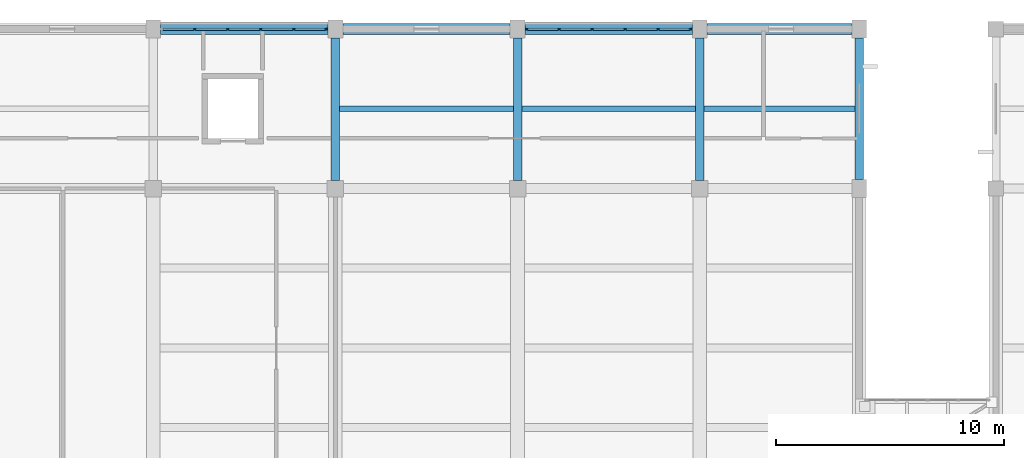
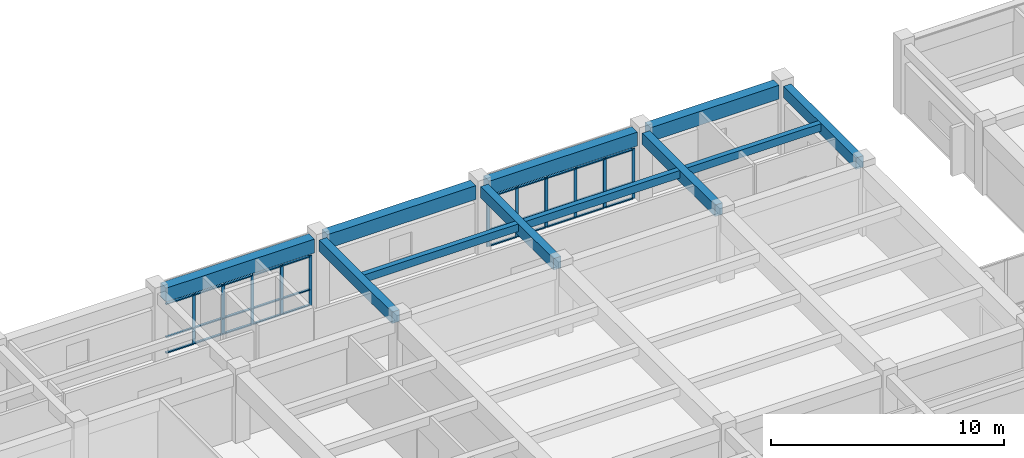
# One storey, part 31 of 66: 41 members, 11 beams, 2 elements without a shape of their own.
"""IFC4 building model written with IfcOpenShell, lengths in metres."""

from ifc_helpers import new_model, si_unit, direction, frame, origin, origin_2d, place, context, subcontext, project, spatial, rectangle, extrude, material, layer, layer_set, material_profile, profile_set, type_object, element, aggregate, save


model = new_model("IFC4")

# Units and contexts
model_context = context("Model", 3, precision=1e-05, world=origin(), true_north=direction((0.0, 1.0)))
body_context = subcontext(model_context, "Body", "Model", "MODEL_VIEW")
ifc_project = project(units=[si_unit("LENGTHUNIT", "METRE"), si_unit("AREAUNIT", "SQUARE_METRE"), si_unit("VOLUMEUNIT", "CUBIC_METRE"), si_unit("PLANEANGLEUNIT", "RADIAN"), si_unit("MASSUNIT", "GRAM", prefix="KILO")], contexts=[model_context])

# Site, building, storey
site_placement = place(None, origin())
site = spatial("IfcSite", under=ifc_project, at=site_placement, CompositionType="ELEMENT")
building_placement = place(site_placement, origin())
building = spatial("IfcBuilding", under=site, at=building_placement, Name="Naurynzar Civic Courthouse", CompositionType="ELEMENT")
storey_placement = place(building_placement, frame((0.0, 0.0, 14.39990234375)))
storey = spatial("IfcBuildingStorey", under=building, at=storey_placement, Name="L04", CompositionType="ELEMENT", Elevation=14.39990234375)

# Beams
ifc_material_1 = material(Name="Concrete C40/50", Category="concrete")
ifc_material_profile_1 = material_profile(ifc_material_1, rectangle(XDim=0.25, YDim=0.39990234375, at=origin_2d()), Name="RCB 250x400")
ifc_profile_set_1 = profile_set([ifc_material_profile_1], Name="Concrete C40/50")
beam_type_1 = type_object("IfcBeamType", Name="BM-JST-250x400", PredefinedType="JOIST", material=ifc_profile_set_1)
for number, where, z_axis, x_axis, name in (
    (1, (101.1875, 68.5, 3.380126953125), (1.0, 0.0, 0.0), (0.0, 1.0, 0.0), "V2 secondary rib 739 L04"),
    (2, (109.1875, 68.5, 3.380126953125), (1.0, 0.0, 0.0), (0.0, 1.0, 0.0), "V2 secondary rib 740 L04"),
):
    element("IfcBeam", number, at=place(storey_placement, frame(where, z_axis=z_axis, x_axis=x_axis)), inside=storey, type_object=beam_type_1, Name=name, PredefinedType="JOIST", context=body_context, shape_type="SweptSolid", body=[
        extrude(rectangle(XDim=0.25, YDim=0.39990234375, at=origin_2d()), origin(), (0.0, 0.0, 1.0), 7.625),
    ])
beam_1_placement = place(storey_placement, frame((117.1875, 68.5, 3.380126953125), z_axis=(1.0, 0.0, 0.0), x_axis=(0.0, 1.0, 0.0)))
element("IfcBeam", 3, at=beam_1_placement, inside=storey, type_object=beam_type_1, Name="V2 secondary rib 741 L04", PredefinedType="JOIST", context=body_context, shape_type="SweptSolid", body=[
    extrude(rectangle(XDim=0.25, YDim=0.39990234375, at=origin_2d()), origin(), (0.0, 0.0, 1.0), 6.625),
])
ifc_material_2 = material(Name="Concrete C40/50", Category="concrete")
ifc_material_profile_2 = material_profile(ifc_material_2, rectangle(XDim=0.375, YDim=0.60009765625, at=origin_2d()), Name="RCB 375x600")
ifc_profile_set_2 = profile_set([ifc_material_profile_2], Name="Concrete C40/50")
beam_type_2 = type_object("IfcBeamType", Name="BM-RC-375x600", PredefinedType="BEAM", material=ifc_profile_set_2)
for number, where, z_axis, x_axis, name in (
    (4, (101.0, 65.362548828125, 3.280029296875), (0.0, 1.0, 0.0), (-1.0, 0.0, 0.0), "V2 girder Y-703 L04"),
    (5, (109.0, 65.362548828125, 3.280029296875), (0.0, 1.0, 0.0), (-1.0, 0.0, 0.0), "V2 girder Y-706 L04"),
    (6, (117.0, 65.362548828125, 3.280029296875), (0.0, 1.0, 0.0), (-1.0, 0.0, 0.0), "V2 girder Y-709 L04"),
):
    element("IfcBeam", number, at=place(storey_placement, frame(where, z_axis=z_axis, x_axis=x_axis)), inside=storey, type_object=beam_type_2, Name=name, PredefinedType="BEAM", context=body_context, shape_type="SweptSolid", body=[
        extrude(rectangle(XDim=0.375, YDim=0.60009765625, at=origin_2d()), origin(), (0.0, 0.0, 1.0), 6.237548828125),
    ])
beam_2_placement = place(storey_placement, frame((124.0, 65.39990234375, 3.280029296875), z_axis=(0.0, 1.0, 0.0), x_axis=(-1.0, 0.0, 0.0)))
element("IfcBeam", 7, at=beam_2_placement, inside=storey, type_object=beam_type_2, Name="V2 girder Y-712 L04", PredefinedType="BEAM", context=body_context, shape_type="SweptSolid", body=[
    extrude(rectangle(XDim=0.375, YDim=0.60009765625, at=origin_2d()), origin(), (0.0, 0.0, 1.0), 6.2001953125),
])
ifc_material_3 = material(Name="Concrete C40/50", Category="concrete")
ifc_material_profile_3 = material_profile(ifc_material_3, rectangle(XDim=0.47509765625, YDim=0.72509765625, at=origin_2d()), Name="RCB 475x725")
ifc_profile_set_3 = profile_set([ifc_material_profile_3], Name="Concrete C40/50")
beam_type_3 = type_object("IfcBeamType", Name="BM-RC-475x725", PredefinedType="SPANDREL", material=ifc_profile_set_3)
for number, where, z_axis, x_axis, name in (
    (8, (93.324951171875, 72.0, 3.217529296875), (1.0, 0.0, 0.0), (0.0, 1.0, 0.0), "V2 beam X-683 L04"),
    (9, (101.324951171875, 72.0, 3.217529296875), (1.0, 0.0, 0.0), (0.0, 1.0, 0.0), "V2 beam X-684 L04"),
    (10, (109.324951171875, 72.0, 3.217529296875), (1.0, 0.0, 0.0), (0.0, 1.0, 0.0), "V2 beam X-685 L04"),
):
    element("IfcBeam", number, at=place(storey_placement, frame(where, z_axis=z_axis, x_axis=x_axis)), inside=storey, type_object=beam_type_3, Name=name, PredefinedType="SPANDREL", context=body_context, shape_type="SweptSolid", body=[
        extrude(rectangle(XDim=0.47509765625, YDim=0.72509765625, at=origin_2d()), origin(), (0.0, 0.0, 1.0), 7.35009765625),
    ])
beam_3_placement = place(storey_placement, frame((117.324951171875, 72.0, 3.217529296875), z_axis=(1.0, 0.0, 0.0), x_axis=(0.0, 1.0, 0.0)))
element("IfcBeam", 11, at=beam_3_placement, inside=storey, type_object=beam_type_3, Name="V2 beam X-686 L04", PredefinedType="SPANDREL", context=body_context, shape_type="SweptSolid", body=[
    extrude(rectangle(XDim=0.47509765625, YDim=0.72509765625, at=origin_2d()), origin(), (0.0, 0.0, 1.0), 6.35009765625),
])

# Curtain wall, members
ifc_material_4 = material(Name="Aluminium 6063-T6", Category="aluminium")
ifc_layer = layer(ifc_material_4, 0.179931640625)
ifc_layer_set = layer_set([ifc_layer], Name="CW-UNIT-1500")
curtain_wall_type = type_object("IfcCurtainWallType", Name="CW-UNIT-1500", PredefinedType="NOTDEFINED", material=ifc_layer_set)
curtain_wall_1_placement = place(storey_placement, origin())
curtain_wall_1 = element("IfcCurtainWall", 12, at=curtain_wall_1_placement, inside=storey, type_object=curtain_wall_type, Name="V2 unitised curtain wall 33 L04", PredefinedType="NOTDEFINED")
ifc_material_5 = material(Name="Aluminium 6063-T6", Category="aluminium")
ifc_material_profile_4 = material_profile(ifc_material_5, rectangle(XDim=0.06005859375, YDim=0.14990234375, at=origin_2d()), Name="ALU MULLION 60x150")
ifc_profile_set_4 = profile_set([ifc_material_profile_4], Name="Aluminium 6063-T6")
member_type_1 = type_object("IfcMemberType", Name="CWM-60x150", PredefinedType="MULLION", material=ifc_profile_set_4)
member_1_placement = place(storey_placement, frame((94.824951171875, 72.0, 0.0), z_axis=(0.0, 0.0, 1.0), x_axis=(0.0, 1.0, 0.0)))
member_1 = element("IfcMember", 13, at=member_1_placement, type_object=member_type_1, Name="CW-01 mullion 2", PredefinedType="MULLION", context=body_context, shape_type="SweptSolid", body=[
    extrude(rectangle(XDim=0.06005859375, YDim=0.14990234375, at=origin_2d()), origin(), (0.0, 0.0, 1.0), 2.610107421875),
])
member_2_placement = place(storey_placement, frame((96.27490234375, 72.0, 0.0), z_axis=(0.0, 0.0, 1.0), x_axis=(0.0, 1.0, 0.0)))
member_2 = element("IfcMember", 14, at=member_2_placement, type_object=member_type_1, Name="CW-01 mullion 3", PredefinedType="MULLION", context=body_context, shape_type="SweptSolid", body=[
    extrude(rectangle(XDim=0.06005859375, YDim=0.14990234375, at=origin_2d()), origin(), (0.0, 0.0, 1.0), 2.610107421875),
])
member_3_placement = place(storey_placement, frame((97.72509765625, 72.0, 0.0), z_axis=(0.0, 0.0, 1.0), x_axis=(0.0, 1.0, 0.0)))
member_3 = element("IfcMember", 15, at=member_3_placement, type_object=member_type_1, Name="CW-01 mullion 4", PredefinedType="MULLION", context=body_context, shape_type="SweptSolid", body=[
    extrude(rectangle(XDim=0.06005859375, YDim=0.14990234375, at=origin_2d()), origin(), (0.0, 0.0, 1.0), 2.610107421875),
])
member_4_placement = place(storey_placement, frame((99.175048828125, 72.0, 0.0), z_axis=(0.0, 0.0, 1.0), x_axis=(0.0, 1.0, 0.0)))
member_4 = element("IfcMember", 16, at=member_4_placement, type_object=member_type_1, Name="CW-01 mullion 5", PredefinedType="MULLION", context=body_context, shape_type="SweptSolid", body=[
    extrude(rectangle(XDim=0.06005859375, YDim=0.14990234375, at=origin_2d()), origin(), (0.0, 0.0, 1.0), 2.610107421875),
])
member_5_placement = place(storey_placement, frame((100.594970703125, 72.0, 0.0), z_axis=(0.0, 0.0, 1.0), x_axis=(0.0, 1.0, 0.0)))
member_5 = element("IfcMember", 17, at=member_5_placement, type_object=member_type_1, Name="CW-01 mullion 6", PredefinedType="MULLION", context=body_context, shape_type="SweptSolid", body=[
    extrude(rectangle(XDim=0.06005859375, YDim=0.14990234375, at=origin_2d()), origin(), (0.0, 0.0, 1.0), 2.610107421875),
])

curtain_wall_2_placement = place(storey_placement, origin())
curtain_wall_2 = element("IfcCurtainWall", 18, at=curtain_wall_2_placement, inside=storey, type_object=curtain_wall_type, Name="V2 unitised curtain wall 34 L04", PredefinedType="NOTDEFINED")
member_6_placement = place(storey_placement, frame((109.405029296875, 72.0, 0.0), z_axis=(0.0, 0.0, 1.0), x_axis=(0.0, 1.0, 0.0)))
member_6 = element("IfcMember", 19, at=member_6_placement, type_object=member_type_1, Name="CW-01 mullion 1", PredefinedType="MULLION", context=body_context, shape_type="SweptSolid", body=[
    extrude(rectangle(XDim=0.06005859375, YDim=0.14990234375, at=origin_2d()), origin(), (0.0, 0.0, 1.0), 2.610107421875),
])
member_7_placement = place(storey_placement, frame((110.824951171875, 72.0, 0.0), z_axis=(0.0, 0.0, 1.0), x_axis=(0.0, 1.0, 0.0)))
member_7 = element("IfcMember", 20, at=member_7_placement, type_object=member_type_1, Name="CW-01 mullion 2", PredefinedType="MULLION", context=body_context, shape_type="SweptSolid", body=[
    extrude(rectangle(XDim=0.06005859375, YDim=0.14990234375, at=origin_2d()), origin(), (0.0, 0.0, 1.0), 2.610107421875),
])
member_8_placement = place(storey_placement, frame((112.27490234375, 72.0, 0.0), z_axis=(0.0, 0.0, 1.0), x_axis=(0.0, 1.0, 0.0)))
member_8 = element("IfcMember", 21, at=member_8_placement, type_object=member_type_1, Name="CW-01 mullion 3", PredefinedType="MULLION", context=body_context, shape_type="SweptSolid", body=[
    extrude(rectangle(XDim=0.06005859375, YDim=0.14990234375, at=origin_2d()), origin(), (0.0, 0.0, 1.0), 2.610107421875),
])
member_9_placement = place(storey_placement, frame((113.72509765625, 72.0, 0.0), z_axis=(0.0, 0.0, 1.0), x_axis=(0.0, 1.0, 0.0)))
member_9 = element("IfcMember", 22, at=member_9_placement, type_object=member_type_1, Name="CW-01 mullion 4", PredefinedType="MULLION", context=body_context, shape_type="SweptSolid", body=[
    extrude(rectangle(XDim=0.06005859375, YDim=0.14990234375, at=origin_2d()), origin(), (0.0, 0.0, 1.0), 2.610107421875),
])
member_10_placement = place(storey_placement, frame((115.175048828125, 72.0, 0.0), z_axis=(0.0, 0.0, 1.0), x_axis=(0.0, 1.0, 0.0)))
member_10 = element("IfcMember", 23, at=member_10_placement, type_object=member_type_1, Name="CW-01 mullion 5", PredefinedType="MULLION", context=body_context, shape_type="SweptSolid", body=[
    extrude(rectangle(XDim=0.06005859375, YDim=0.14990234375, at=origin_2d()), origin(), (0.0, 0.0, 1.0), 2.610107421875),
])
member_11_placement = place(storey_placement, frame((116.594970703125, 72.0, 0.0), z_axis=(0.0, 0.0, 1.0), x_axis=(0.0, 1.0, 0.0)))
member_11 = element("IfcMember", 24, at=member_11_placement, type_object=member_type_1, Name="CW-01 mullion 6", PredefinedType="MULLION", context=body_context, shape_type="SweptSolid", body=[
    extrude(rectangle(XDim=0.06005859375, YDim=0.14990234375, at=origin_2d()), origin(), (0.0, 0.0, 1.0), 2.610107421875),
])

# Member
ifc_material_6 = material(Name="Aluminium 6063-T6", Category="aluminium")
ifc_material_profile_5 = material_profile(ifc_material_6, rectangle(XDim=0.110107421875, YDim=0.06005859375, at=origin_2d()), Name="ALU TRANSOM 60x110")
ifc_profile_set_5 = profile_set([ifc_material_profile_5], Name="Aluminium 6063-T6")
member_type_2 = type_object("IfcMemberType", Name="CWT-60x110", PredefinedType="USERDEFINED", material=ifc_profile_set_5)
member_12_placement = place(storey_placement, frame((93.43505859375, 72.0, 0.030029296875), z_axis=(1.0, 0.0, 0.0), x_axis=(0.0, 1.0, 0.0)))
member_12 = element("IfcMember", 25, at=member_12_placement, type_object=member_type_2, Name="CW-01 transom 1.1", ObjectType="TRANSOM", PredefinedType="USERDEFINED", context=body_context, shape_type="SweptSolid", body=[
    extrude(rectangle(XDim=0.110107421875, YDim=0.06005859375, at=origin_2d()), origin(), (0.0, 0.0, 1.0), 1.35986328125),
])

member_13_placement = place(storey_placement, frame((93.43505859375, 72.0, 0.85009765625), z_axis=(1.0, 0.0, 0.0), x_axis=(0.0, 1.0, 0.0)))
member_13 = element("IfcMember", 26, at=member_13_placement, type_object=member_type_2, Name="CW-01 transom 1.2", ObjectType="TRANSOM", PredefinedType="USERDEFINED", context=body_context, shape_type="SweptSolid", body=[
    extrude(rectangle(XDim=0.110107421875, YDim=0.06005859375, at=origin_2d()), origin(), (0.0, 0.0, 1.0), 1.35986328125),
])

member_14_placement = place(storey_placement, frame((93.43505859375, 72.0, 2.580078125), z_axis=(1.0, 0.0, 0.0), x_axis=(0.0, 1.0, 0.0)))
member_14 = element("IfcMember", 27, at=member_14_placement, type_object=member_type_2, Name="CW-01 transom 1.3", ObjectType="TRANSOM", PredefinedType="USERDEFINED", context=body_context, shape_type="SweptSolid", body=[
    extrude(rectangle(XDim=0.110107421875, YDim=0.06005859375, at=origin_2d()), origin(), (0.0, 0.0, 1.0), 1.35986328125),
])

member_15_placement = place(storey_placement, frame((94.85498046875, 72.0, 0.030029296875), z_axis=(1.0, 0.0, 0.0), x_axis=(0.0, 1.0, 0.0)))
member_15 = element("IfcMember", 28, at=member_15_placement, type_object=member_type_2, Name="CW-01 transom 2.1", ObjectType="TRANSOM", PredefinedType="USERDEFINED", context=body_context, shape_type="SweptSolid", body=[
    extrude(rectangle(XDim=0.110107421875, YDim=0.06005859375, at=origin_2d()), origin(), (0.0, 0.0, 1.0), 1.39013671875),
])

member_16_placement = place(storey_placement, frame((94.85498046875, 72.0, 0.85009765625), z_axis=(1.0, 0.0, 0.0), x_axis=(0.0, 1.0, 0.0)))
member_16 = element("IfcMember", 29, at=member_16_placement, type_object=member_type_2, Name="CW-01 transom 2.2", ObjectType="TRANSOM", PredefinedType="USERDEFINED", context=body_context, shape_type="SweptSolid", body=[
    extrude(rectangle(XDim=0.110107421875, YDim=0.06005859375, at=origin_2d()), origin(), (0.0, 0.0, 1.0), 1.39013671875),
])

member_17_placement = place(storey_placement, frame((94.85498046875, 72.0, 2.580078125), z_axis=(1.0, 0.0, 0.0), x_axis=(0.0, 1.0, 0.0)))
member_17 = element("IfcMember", 30, at=member_17_placement, type_object=member_type_2, Name="CW-01 transom 2.3", ObjectType="TRANSOM", PredefinedType="USERDEFINED", context=body_context, shape_type="SweptSolid", body=[
    extrude(rectangle(XDim=0.110107421875, YDim=0.06005859375, at=origin_2d()), origin(), (0.0, 0.0, 1.0), 1.39013671875),
])

member_18_placement = place(storey_placement, frame((96.304931640625, 72.0, 0.030029296875), z_axis=(1.0, 0.0, 0.0), x_axis=(0.0, 1.0, 0.0)))
member_18 = element("IfcMember", 31, at=member_18_placement, type_object=member_type_2, Name="CW-01 transom 3.1", ObjectType="TRANSOM", PredefinedType="USERDEFINED", context=body_context, shape_type="SweptSolid", body=[
    extrude(rectangle(XDim=0.110107421875, YDim=0.06005859375, at=origin_2d()), origin(), (0.0, 0.0, 1.0), 1.39013671875),
])

member_19_placement = place(storey_placement, frame((96.304931640625, 72.0, 0.85009765625), z_axis=(1.0, 0.0, 0.0), x_axis=(0.0, 1.0, 0.0)))
member_19 = element("IfcMember", 32, at=member_19_placement, type_object=member_type_2, Name="CW-01 transom 3.2", ObjectType="TRANSOM", PredefinedType="USERDEFINED", context=body_context, shape_type="SweptSolid", body=[
    extrude(rectangle(XDim=0.110107421875, YDim=0.06005859375, at=origin_2d()), origin(), (0.0, 0.0, 1.0), 1.39013671875),
])

member_20_placement = place(storey_placement, frame((96.304931640625, 72.0, 2.580078125), z_axis=(1.0, 0.0, 0.0), x_axis=(0.0, 1.0, 0.0)))
member_20 = element("IfcMember", 33, at=member_20_placement, type_object=member_type_2, Name="CW-01 transom 3.3", ObjectType="TRANSOM", PredefinedType="USERDEFINED", context=body_context, shape_type="SweptSolid", body=[
    extrude(rectangle(XDim=0.110107421875, YDim=0.06005859375, at=origin_2d()), origin(), (0.0, 0.0, 1.0), 1.39013671875),
])

member_21_placement = place(storey_placement, frame((97.7548828125, 72.0, 0.030029296875), z_axis=(1.0, 0.0, 0.0), x_axis=(0.0, 1.0, 0.0)))
member_21 = element("IfcMember", 34, at=member_21_placement, type_object=member_type_2, Name="CW-01 transom 4.1", ObjectType="TRANSOM", PredefinedType="USERDEFINED", context=body_context, shape_type="SweptSolid", body=[
    extrude(rectangle(XDim=0.110107421875, YDim=0.06005859375, at=origin_2d()), origin(), (0.0, 0.0, 1.0), 1.39013671875),
])

member_22_placement = place(storey_placement, frame((97.7548828125, 72.0, 0.85009765625), z_axis=(1.0, 0.0, 0.0), x_axis=(0.0, 1.0, 0.0)))
member_22 = element("IfcMember", 35, at=member_22_placement, type_object=member_type_2, Name="CW-01 transom 4.2", ObjectType="TRANSOM", PredefinedType="USERDEFINED", context=body_context, shape_type="SweptSolid", body=[
    extrude(rectangle(XDim=0.110107421875, YDim=0.06005859375, at=origin_2d()), origin(), (0.0, 0.0, 1.0), 1.39013671875),
])

member_23_placement = place(storey_placement, frame((97.7548828125, 72.0, 2.580078125), z_axis=(1.0, 0.0, 0.0), x_axis=(0.0, 1.0, 0.0)))
member_23 = element("IfcMember", 36, at=member_23_placement, type_object=member_type_2, Name="CW-01 transom 4.3", ObjectType="TRANSOM", PredefinedType="USERDEFINED", context=body_context, shape_type="SweptSolid", body=[
    extrude(rectangle(XDim=0.110107421875, YDim=0.06005859375, at=origin_2d()), origin(), (0.0, 0.0, 1.0), 1.39013671875),
])

member_24_placement = place(storey_placement, frame((99.205078125, 72.0, 0.030029296875), z_axis=(1.0, 0.0, 0.0), x_axis=(0.0, 1.0, 0.0)))
member_24 = element("IfcMember", 37, at=member_24_placement, type_object=member_type_2, Name="CW-01 transom 5.1", ObjectType="TRANSOM", PredefinedType="USERDEFINED", context=body_context, shape_type="SweptSolid", body=[
    extrude(rectangle(XDim=0.110107421875, YDim=0.06005859375, at=origin_2d()), origin(), (0.0, 0.0, 1.0), 1.35986328125),
])

member_25_placement = place(storey_placement, frame((99.205078125, 72.0, 0.85009765625), z_axis=(1.0, 0.0, 0.0), x_axis=(0.0, 1.0, 0.0)))
member_25 = element("IfcMember", 38, at=member_25_placement, type_object=member_type_2, Name="CW-01 transom 5.2", ObjectType="TRANSOM", PredefinedType="USERDEFINED", context=body_context, shape_type="SweptSolid", body=[
    extrude(rectangle(XDim=0.110107421875, YDim=0.06005859375, at=origin_2d()), origin(), (0.0, 0.0, 1.0), 1.35986328125),
])

member_26_placement = place(storey_placement, frame((99.205078125, 72.0, 2.580078125), z_axis=(1.0, 0.0, 0.0), x_axis=(0.0, 1.0, 0.0)))
member_26 = element("IfcMember", 39, at=member_26_placement, type_object=member_type_2, Name="CW-01 transom 5.3", ObjectType="TRANSOM", PredefinedType="USERDEFINED", context=body_context, shape_type="SweptSolid", body=[
    extrude(rectangle(XDim=0.110107421875, YDim=0.06005859375, at=origin_2d()), origin(), (0.0, 0.0, 1.0), 1.35986328125),
])

aggregate(curtain_wall_1, [member_1, member_2, member_3, member_4, member_5, member_12, member_13, member_14, member_15, member_16, member_17, member_18, member_19, member_20, member_21, member_22, member_23, member_24, member_25, member_26])

member_27_placement = place(storey_placement, frame((109.43505859375, 72.0, 0.030029296875), z_axis=(1.0, 0.0, 0.0), x_axis=(0.0, 1.0, 0.0)))
member_27 = element("IfcMember", 40, at=member_27_placement, type_object=member_type_2, Name="CW-01 transom 1.1", ObjectType="TRANSOM", PredefinedType="USERDEFINED", context=body_context, shape_type="SweptSolid", body=[
    extrude(rectangle(XDim=0.110107421875, YDim=0.06005859375, at=origin_2d()), origin(), (0.0, 0.0, 1.0), 1.35986328125),
])

member_28_placement = place(storey_placement, frame((109.43505859375, 72.0, 0.85009765625), z_axis=(1.0, 0.0, 0.0), x_axis=(0.0, 1.0, 0.0)))
member_28 = element("IfcMember", 41, at=member_28_placement, type_object=member_type_2, Name="CW-01 transom 1.2", ObjectType="TRANSOM", PredefinedType="USERDEFINED", context=body_context, shape_type="SweptSolid", body=[
    extrude(rectangle(XDim=0.110107421875, YDim=0.06005859375, at=origin_2d()), origin(), (0.0, 0.0, 1.0), 1.35986328125),
])

member_29_placement = place(storey_placement, frame((109.43505859375, 72.0, 2.580078125), z_axis=(1.0, 0.0, 0.0), x_axis=(0.0, 1.0, 0.0)))
member_29 = element("IfcMember", 42, at=member_29_placement, type_object=member_type_2, Name="CW-01 transom 1.3", ObjectType="TRANSOM", PredefinedType="USERDEFINED", context=body_context, shape_type="SweptSolid", body=[
    extrude(rectangle(XDim=0.110107421875, YDim=0.06005859375, at=origin_2d()), origin(), (0.0, 0.0, 1.0), 1.35986328125),
])

member_30_placement = place(storey_placement, frame((110.85498046875, 72.0, 0.030029296875), z_axis=(1.0, 0.0, 0.0), x_axis=(0.0, 1.0, 0.0)))
member_30 = element("IfcMember", 43, at=member_30_placement, type_object=member_type_2, Name="CW-01 transom 2.1", ObjectType="TRANSOM", PredefinedType="USERDEFINED", context=body_context, shape_type="SweptSolid", body=[
    extrude(rectangle(XDim=0.110107421875, YDim=0.06005859375, at=origin_2d()), origin(), (0.0, 0.0, 1.0), 1.39013671875),
])

member_31_placement = place(storey_placement, frame((110.85498046875, 72.0, 0.85009765625), z_axis=(1.0, 0.0, 0.0), x_axis=(0.0, 1.0, 0.0)))
member_31 = element("IfcMember", 44, at=member_31_placement, type_object=member_type_2, Name="CW-01 transom 2.2", ObjectType="TRANSOM", PredefinedType="USERDEFINED", context=body_context, shape_type="SweptSolid", body=[
    extrude(rectangle(XDim=0.110107421875, YDim=0.06005859375, at=origin_2d()), origin(), (0.0, 0.0, 1.0), 1.39013671875),
])

member_32_placement = place(storey_placement, frame((110.85498046875, 72.0, 2.580078125), z_axis=(1.0, 0.0, 0.0), x_axis=(0.0, 1.0, 0.0)))
member_32 = element("IfcMember", 45, at=member_32_placement, type_object=member_type_2, Name="CW-01 transom 2.3", ObjectType="TRANSOM", PredefinedType="USERDEFINED", context=body_context, shape_type="SweptSolid", body=[
    extrude(rectangle(XDim=0.110107421875, YDim=0.06005859375, at=origin_2d()), origin(), (0.0, 0.0, 1.0), 1.39013671875),
])

member_33_placement = place(storey_placement, frame((112.304931640625, 72.0, 0.030029296875), z_axis=(1.0, 0.0, 0.0), x_axis=(0.0, 1.0, 0.0)))
member_33 = element("IfcMember", 46, at=member_33_placement, type_object=member_type_2, Name="CW-01 transom 3.1", ObjectType="TRANSOM", PredefinedType="USERDEFINED", context=body_context, shape_type="SweptSolid", body=[
    extrude(rectangle(XDim=0.110107421875, YDim=0.06005859375, at=origin_2d()), origin(), (0.0, 0.0, 1.0), 1.39013671875),
])

member_34_placement = place(storey_placement, frame((112.304931640625, 72.0, 0.85009765625), z_axis=(1.0, 0.0, 0.0), x_axis=(0.0, 1.0, 0.0)))
member_34 = element("IfcMember", 47, at=member_34_placement, type_object=member_type_2, Name="CW-01 transom 3.2", ObjectType="TRANSOM", PredefinedType="USERDEFINED", context=body_context, shape_type="SweptSolid", body=[
    extrude(rectangle(XDim=0.110107421875, YDim=0.06005859375, at=origin_2d()), origin(), (0.0, 0.0, 1.0), 1.39013671875),
])

member_35_placement = place(storey_placement, frame((112.304931640625, 72.0, 2.580078125), z_axis=(1.0, 0.0, 0.0), x_axis=(0.0, 1.0, 0.0)))
member_35 = element("IfcMember", 48, at=member_35_placement, type_object=member_type_2, Name="CW-01 transom 3.3", ObjectType="TRANSOM", PredefinedType="USERDEFINED", context=body_context, shape_type="SweptSolid", body=[
    extrude(rectangle(XDim=0.110107421875, YDim=0.06005859375, at=origin_2d()), origin(), (0.0, 0.0, 1.0), 1.39013671875),
])

member_36_placement = place(storey_placement, frame((113.7548828125, 72.0, 0.030029296875), z_axis=(1.0, 0.0, 0.0), x_axis=(0.0, 1.0, 0.0)))
member_36 = element("IfcMember", 49, at=member_36_placement, type_object=member_type_2, Name="CW-01 transom 4.1", ObjectType="TRANSOM", PredefinedType="USERDEFINED", context=body_context, shape_type="SweptSolid", body=[
    extrude(rectangle(XDim=0.110107421875, YDim=0.06005859375, at=origin_2d()), origin(), (0.0, 0.0, 1.0), 1.39013671875),
])

member_37_placement = place(storey_placement, frame((113.7548828125, 72.0, 0.85009765625), z_axis=(1.0, 0.0, 0.0), x_axis=(0.0, 1.0, 0.0)))
member_37 = element("IfcMember", 50, at=member_37_placement, type_object=member_type_2, Name="CW-01 transom 4.2", ObjectType="TRANSOM", PredefinedType="USERDEFINED", context=body_context, shape_type="SweptSolid", body=[
    extrude(rectangle(XDim=0.110107421875, YDim=0.06005859375, at=origin_2d()), origin(), (0.0, 0.0, 1.0), 1.39013671875),
])

member_38_placement = place(storey_placement, frame((113.7548828125, 72.0, 2.580078125), z_axis=(1.0, 0.0, 0.0), x_axis=(0.0, 1.0, 0.0)))
member_38 = element("IfcMember", 51, at=member_38_placement, type_object=member_type_2, Name="CW-01 transom 4.3", ObjectType="TRANSOM", PredefinedType="USERDEFINED", context=body_context, shape_type="SweptSolid", body=[
    extrude(rectangle(XDim=0.110107421875, YDim=0.06005859375, at=origin_2d()), origin(), (0.0, 0.0, 1.0), 1.39013671875),
])

member_39_placement = place(storey_placement, frame((115.205078125, 72.0, 0.030029296875), z_axis=(1.0, 0.0, 0.0), x_axis=(0.0, 1.0, 0.0)))
member_39 = element("IfcMember", 52, at=member_39_placement, type_object=member_type_2, Name="CW-01 transom 5.1", ObjectType="TRANSOM", PredefinedType="USERDEFINED", context=body_context, shape_type="SweptSolid", body=[
    extrude(rectangle(XDim=0.110107421875, YDim=0.06005859375, at=origin_2d()), origin(), (0.0, 0.0, 1.0), 1.35986328125),
])

member_40_placement = place(storey_placement, frame((115.205078125, 72.0, 0.85009765625), z_axis=(1.0, 0.0, 0.0), x_axis=(0.0, 1.0, 0.0)))
member_40 = element("IfcMember", 53, at=member_40_placement, type_object=member_type_2, Name="CW-01 transom 5.2", ObjectType="TRANSOM", PredefinedType="USERDEFINED", context=body_context, shape_type="SweptSolid", body=[
    extrude(rectangle(XDim=0.110107421875, YDim=0.06005859375, at=origin_2d()), origin(), (0.0, 0.0, 1.0), 1.35986328125),
])

member_41_placement = place(storey_placement, frame((115.205078125, 72.0, 2.580078125), z_axis=(1.0, 0.0, 0.0), x_axis=(0.0, 1.0, 0.0)))
member_41 = element("IfcMember", 54, at=member_41_placement, type_object=member_type_2, Name="CW-01 transom 5.3", ObjectType="TRANSOM", PredefinedType="USERDEFINED", context=body_context, shape_type="SweptSolid", body=[
    extrude(rectangle(XDim=0.110107421875, YDim=0.06005859375, at=origin_2d()), origin(), (0.0, 0.0, 1.0), 1.35986328125),
])

aggregate(curtain_wall_2, [member_6, member_7, member_8, member_9, member_10, member_11, member_27, member_28, member_29, member_30, member_31, member_32, member_33, member_34, member_35, member_36, member_37, member_38, member_39, member_40, member_41])

save(model, "model.ifc")
